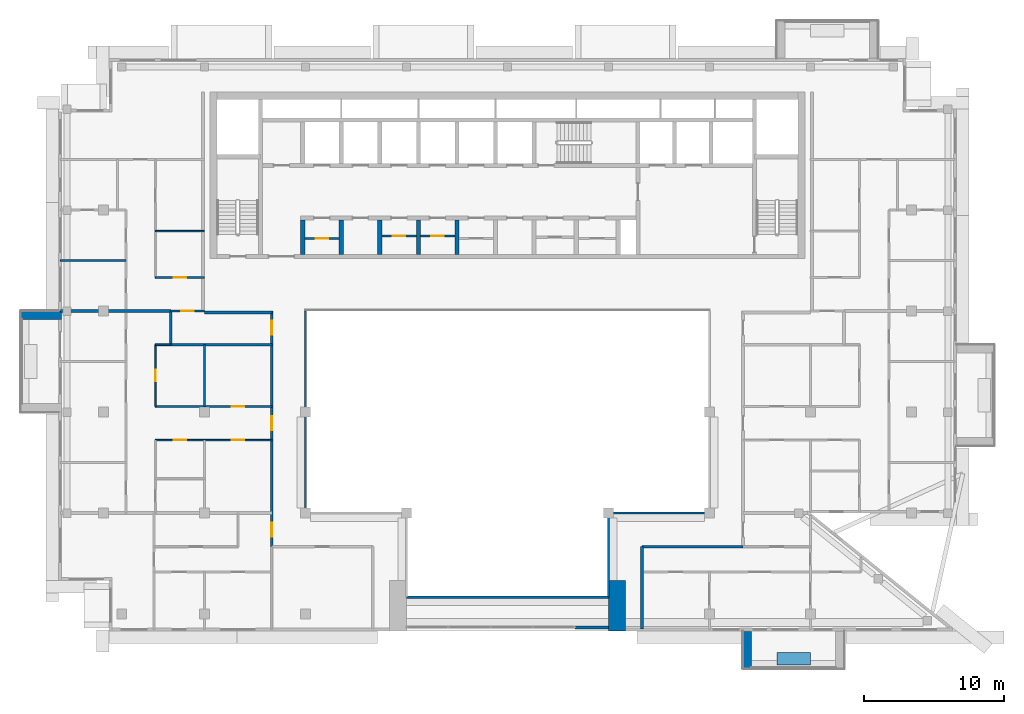
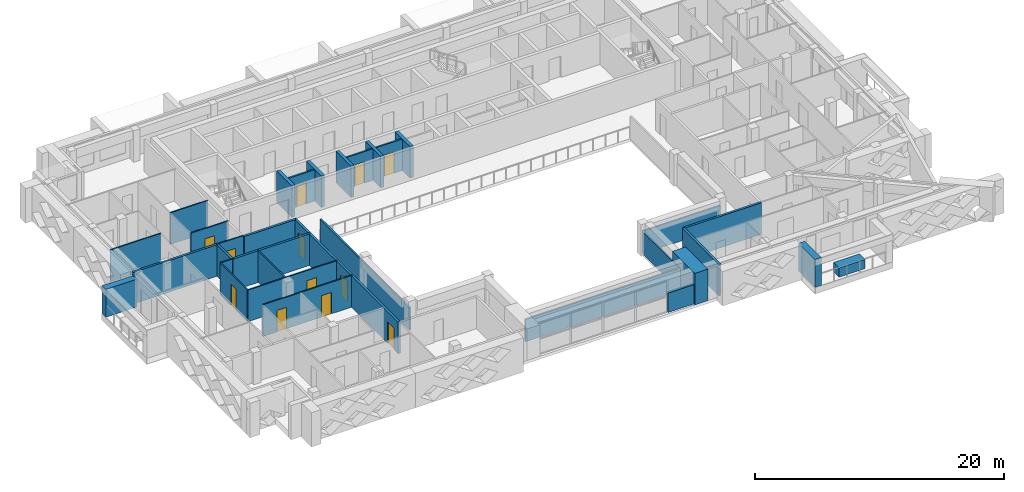
# One storey, part 7 of 19: 33 walls, 12 doors, 12 openings.
"""IFC4 building model written with IfcOpenShell, lengths in metres."""

from ifc_helpers import new_model, si_unit, direction, frame, frame_2d, origin, place, context, subcontext, project, spatial, rectangle, extrude, material, layer, layer_set, type_object, element, fill, save


model = new_model("IFC4")

# Units and contexts
model_context = context("Model", 3, precision=1e-05, world=origin(), true_north=direction((0.0, 1.0)))
body_context = subcontext(model_context, "Body", "Model", "MODEL_VIEW")
ifc_project = project(units=[si_unit("LENGTHUNIT", "METRE"), si_unit("AREAUNIT", "SQUARE_METRE"), si_unit("VOLUMEUNIT", "CUBIC_METRE"), si_unit("PLANEANGLEUNIT", "RADIAN"), si_unit("MASSUNIT", "GRAM", prefix="KILO")], contexts=[model_context])

# Site, building, storey
site_placement = place(None, origin())
site = spatial("IfcSite", under=ifc_project, at=site_placement, CompositionType="ELEMENT")
building_placement = place(site_placement, origin())
building = spatial("IfcBuilding", under=site, at=building_placement, Name="Saffron Iwan Residences", CompositionType="ELEMENT")
storey_placement = place(building_placement, frame((0.0, 0.0, 267.5)))
storey = spatial("IfcBuildingStorey", under=building, at=storey_placement, Name="L72", CompositionType="ELEMENT", Elevation=267.5)

# Walls
ifc_material_1 = material(Name="Fire-rated glazing", Category="glass")
ifc_layer_1 = layer(ifc_material_1, 0.14990234375)
ifc_layer_set_1 = layer_set([ifc_layer_1], Name="Fire-rated glazing")
wall_type_1 = type_object("IfcWallType", Name="Atrium glazed screen 150", PredefinedType="SOLIDWALL", material=ifc_layer_set_1)
wall_1_placement = place(storey_placement, frame((43.199951171875, 42.0, 0.0), z_axis=(0.0, 0.0, 1.0), x_axis=(1.0, 0.0, 0.0)))
element("IfcWall", 1, at=wall_1_placement, inside=storey, type_object=wall_type_1, Name="W-L72-SCREEN-h42-43.2", PredefinedType="SOLIDWALL", context=body_context, shape_type="SweptSolid", body=[
    extrude(rectangle(XDim=14.400146484375, YDim=0.14990234375, at=frame_2d((7.2001953125, 0.0))), origin(), (0.0, 0.0, 1.0), 2.198974609375),
])
wall_2_placement = place(storey_placement, frame((57.60009765625, 48.0, 0.0), z_axis=(0.0, 0.0, 1.0), x_axis=(1.0, 0.0, 0.0)))
element("IfcWall", 2, at=wall_2_placement, inside=storey, type_object=wall_type_1, Name="W-L72-SCREEN-h48-57.6", PredefinedType="SOLIDWALL", context=body_context, shape_type="SweptSolid", body=[
    extrude(rectangle(XDim=7.199951171875, YDim=0.14990234375, at=frame_2d((3.60009765625, 0.0))), origin(), (0.0, 0.0, 1.0), 2.198974609375),
])
wall_3_placement = place(storey_placement, frame((36.0, 48.0, 0.0), z_axis=(0.0, 0.0, 1.0), x_axis=(0.0, 1.0, 0.0)))
element("IfcWall", 3, at=wall_3_placement, inside=storey, type_object=wall_type_1, Name="W-L72-SCREEN-v36-48", PredefinedType="SOLIDWALL", context=body_context, shape_type="SweptSolid", body=[
    extrude(rectangle(XDim=14.39990234375, YDim=0.14990234375, at=frame_2d((7.199951171875, 0.0))), origin(), (0.0, 0.0, 1.0), 2.198974609375),
])
wall_4_placement = place(storey_placement, frame((57.60009765625, 42.0, 0.0), z_axis=(0.0, 0.0, 1.0), x_axis=(0.0, 1.0, 0.0)))
element("IfcWall", 4, at=wall_4_placement, inside=storey, type_object=wall_type_1, Name="W-L72-SCREEN-v57.6-42", PredefinedType="SOLIDWALL", context=body_context, shape_type="SweptSolid", body=[
    extrude(rectangle(XDim=6.0, YDim=0.14990234375, at=frame_2d((3.0, 0.0))), origin(), (0.0, 0.0, 1.0), 2.198974609375),
])
ifc_material_2 = material(Name="Concrete C50/60 white painted", Category="concrete")
ifc_layer_2 = layer(ifc_material_2, 0.60009765625)
ifc_layer_set_2 = layer_set([ifc_layer_2], Name="Concrete C50/60 white painted")
wall_type_2 = type_object("IfcWallType", Name="BALCONY FIN 600", PredefinedType="SOLIDWALL", material=ifc_layer_set_2)
wall_5_placement = place(storey_placement, frame((18.60009765625, 62.10009765625, 0.0), z_axis=(0.0, 0.0, 1.0), x_axis=(-1.0, 0.0, 0.0)))
element("IfcWall", 5, at=wall_5_placement, inside=storey, type_object=wall_type_2, Name="Balcony fin L72 F8-0a", PredefinedType="SOLIDWALL", context=body_context, shape_type="SweptSolid", body=[
    extrude(rectangle(XDim=2.900146484375, YDim=0.60009765625, at=frame_2d((1.4501953125, 0.0))), origin(), (0.0, 0.0, 1.0), 2.72900390625),
])
wall_6_placement = place(storey_placement, frame((67.5, 39.550048828125, 0.0), z_axis=(0.0, 0.0, 1.0), x_axis=(0.0, -1.0, 0.0)))
element("IfcWall", 6, at=wall_6_placement, inside=storey, type_object=wall_type_2, Name="Balcony fin L72 11-1a", PredefinedType="SOLIDWALL", context=body_context, shape_type="SweptSolid", body=[
    extrude(rectangle(XDim=2.650146484375, YDim=0.60009765625, at=frame_2d((1.3251953125, 0.0))), origin(), (0.0, 0.0, 1.0), 2.72900390625),
])
ifc_material_3 = material(Name="Concrete C35/45 white painted", Category="concrete")
ifc_layer_3 = layer(ifc_material_3, 0.14990234375)
ifc_layer_set_3 = layer_set([ifc_layer_3], Name="Concrete C35/45 white painted")
wall_type_3 = type_object("IfcWallType", Name="BALCONY PLANTER", PredefinedType="SOLIDWALL", material=ifc_layer_set_3)
wall_7_placement = place(storey_placement, frame((69.60009765625, 37.625, 0.0), z_axis=(0.0, 0.0, 1.0), x_axis=(1.0, 0.0, 0.0)))
element("IfcWall", 7, at=wall_7_placement, inside=storey, type_object=wall_type_3, Name="PLANTER L72 11-1", PredefinedType="SOLIDWALL", context=body_context, shape_type="SweptSolid", body=[
    extrude(rectangle(XDim=2.39990234375, YDim=0.89990234375, at=frame_2d((1.199951171875, 0.0))), origin(), (0.0, 0.0, 1.0), 0.89990234375),
])

# Wall, opening, door
ifc_material_4 = material(Name="Fire-rated plasterboard partition")
ifc_layer_4 = layer(ifc_material_4, 0.14990234375)
ifc_layer_set_4 = layer_set([ifc_layer_4], Name="Fire-rated plasterboard partition")
wall_type_4 = type_object("IfcWallType", Name="Core partition 150", PredefinedType="PARTITIONING", material=ifc_layer_set_4)
wall_8_placement = place(storey_placement, frame((35.949951171875, 67.5654296875, 0.0), z_axis=(0.0, 0.0, 1.0), x_axis=(1.0, 0.0, 0.0)))
wall_8 = element("IfcWall", 8, at=wall_8_placement, inside=storey, type_object=wall_type_4, Name="Core partition P01", PredefinedType="PARTITIONING", context=body_context, shape_type="SweptSolid", body=[
    extrude(rectangle(XDim=2.449951171875, YDim=0.14990234375, at=frame_2d((1.22509765625, 0.0))), origin(), (0.0, 0.0, 1.0), 3.09912109375),
])
opening_1_placement = place(wall_8_placement, frame((0.77490234375, 0.0, 0.0)))
opening_1 = element("IfcOpeningElement", 9, at=opening_1_placement, cuts=wall_8, Name="Opening SB", PredefinedType="OPENING", context=body_context, shape_type="SweptSolid", body=[
    extrude(rectangle(XDim=0.89990234375, YDim=2.10009765625, at=frame_2d((0.449951171875, 1.050048828125))), frame((0.0, 0.0849609375, 0.0), z_axis=(0.0, -1.0, 0.0), x_axis=(1.0, 0.0, 0.0)), (0.0, 0.0, 1.0), 0.169921875),
])
ifc_material_5 = material(Name="Steel fire door", Category="steel")
door_type_1 = type_object("IfcDoorType", Name="Store door 900", OperationType="NOTDEFINED", PredefinedType="DOOR", material=ifc_material_5)
door_1_placement = place(opening_1_placement, origin())
door_1 = element("IfcDoor", 10, at=door_1_placement, inside=storey, type_object=door_type_1, Name="Door Equipment store", OperationType="SINGLE_SWING_RIGHT", OverallHeight=2.10009765625, OverallWidth=0.89990234375, PredefinedType="DOOR", context=body_context, shape_type="SweptSolid", body=[
    extrude(rectangle(XDim=0.89990234375, YDim=2.10009765625, at=frame_2d((0.449951171875, 1.050048828125))), frame((0.0, 0.02490234375, 0.0), z_axis=(0.0, -1.0, 0.0), x_axis=(1.0, 0.0, 0.0)), (0.0, 0.0, 1.0), 0.050048828125),
])
fill(opening_1, door_1)

wall_9_placement = place(storey_placement, frame((41.449951171875, 67.759521484375, 0.0), z_axis=(0.0, 0.0, 1.0), x_axis=(1.0, 0.0, 0.0)))
wall_9 = element("IfcWall", 11, at=wall_9_placement, inside=storey, type_object=wall_type_4, Name="Core partition P02", PredefinedType="PARTITIONING", context=body_context, shape_type="SweptSolid", body=[
    extrude(rectangle(XDim=2.449951171875, YDim=0.14990234375, at=frame_2d((1.22509765625, 0.0))), origin(), (0.0, 0.0, 1.0), 3.09912109375),
])
opening_2_placement = place(wall_9_placement, frame((0.77490234375, 0.0, 0.0)))
opening_2 = element("IfcOpeningElement", 12, at=opening_2_placement, cuts=wall_9, Name="Opening SB", PredefinedType="OPENING", context=body_context, shape_type="SweptSolid", body=[
    extrude(rectangle(XDim=0.89990234375, YDim=2.10009765625, at=frame_2d((0.449951171875, 1.050048828125))), frame((0.0, 0.0849609375, 0.0), z_axis=(0.0, -1.0, 0.0), x_axis=(1.0, 0.0, 0.0)), (0.0, 0.0, 1.0), 0.169921875),
])
door_2_placement = place(opening_2_placement, origin())
door_2 = element("IfcDoor", 13, at=door_2_placement, inside=storey, type_object=door_type_1, Name="Door Spares store", OperationType="SINGLE_SWING_LEFT", OverallHeight=2.10009765625, OverallWidth=0.89990234375, PredefinedType="DOOR", context=body_context, shape_type="SweptSolid", body=[
    extrude(rectangle(XDim=0.89990234375, YDim=2.10009765625, at=frame_2d((0.449951171875, 1.050048828125))), frame((0.0, 0.02490234375, 0.0), z_axis=(0.0, -1.0, 0.0), x_axis=(1.0, 0.0, 0.0)), (0.0, 0.0, 1.0), 0.050048828125),
])
fill(opening_2, door_2)

wall_10_placement = place(storey_placement, frame((44.199951171875, 67.759521484375, 0.0), z_axis=(0.0, 0.0, 1.0), x_axis=(1.0, 0.0, 0.0)))
wall_10 = element("IfcWall", 14, at=wall_10_placement, inside=storey, type_object=wall_type_4, Name="Core partition P03", PredefinedType="PARTITIONING", context=body_context, shape_type="SweptSolid", body=[
    extrude(rectangle(XDim=2.449951171875, YDim=0.14990234375, at=frame_2d((1.22509765625, 0.0))), origin(), (0.0, 0.0, 1.0), 3.09912109375),
])
opening_3_placement = place(wall_10_placement, frame((0.77490234375, 0.0, 0.0)))
opening_3 = element("IfcOpeningElement", 15, at=opening_3_placement, cuts=wall_10, Name="Opening SB", PredefinedType="OPENING", context=body_context, shape_type="SweptSolid", body=[
    extrude(rectangle(XDim=0.89990234375, YDim=2.10009765625, at=frame_2d((0.449951171875, 1.050048828125))), frame((0.0, 0.0849609375, 0.0), z_axis=(0.0, -1.0, 0.0), x_axis=(1.0, 0.0, 0.0)), (0.0, 0.0, 1.0), 0.169921875),
])
door_3_placement = place(opening_3_placement, origin())
door_3 = element("IfcDoor", 16, at=door_3_placement, inside=storey, type_object=door_type_1, Name="Door Battery room", OperationType="SINGLE_SWING_RIGHT", OverallHeight=2.10009765625, OverallWidth=0.89990234375, PredefinedType="DOOR", context=body_context, shape_type="SweptSolid", body=[
    extrude(rectangle(XDim=0.89990234375, YDim=2.10009765625, at=frame_2d((0.449951171875, 1.050048828125))), frame((0.0, 0.02490234375, 0.0), z_axis=(0.0, -1.0, 0.0), x_axis=(1.0, 0.0, 0.0)), (0.0, 0.0, 1.0), 0.050048828125),
])
fill(opening_3, door_3)

# Walls
ifc_material_6 = material(Name="Concrete C40/50", Category="concrete")
ifc_layer_5 = layer(ifc_material_6, 0.199951171875)
ifc_layer_set_5 = layer_set([ifc_layer_5], Name="Concrete C40/50")
wall_type_5 = type_object("IfcWallType", Name="EXTERNAL WALL 200", PredefinedType="SOLIDWALL", material=ifc_layer_set_5)
wall_11_placement = place(storey_placement, frame((55.199951171875, 39.85009765625, 0.0), z_axis=(0.0, 0.0, 1.0), x_axis=(1.0, 0.0, 0.0)))
element("IfcWall", 17, at=wall_11_placement, inside=storey, type_object=wall_type_5, Name="External wall infill CWB-L72-0", PredefinedType="SOLIDWALL", context=body_context, shape_type="SweptSolid", body=[
    extrude(rectangle(XDim=2.400146484375, YDim=0.199951171875, at=frame_2d((1.2001953125, 0.0))), origin(), (0.0, 0.0, 1.0), 1.89892578125),
])
ifc_material_7 = material(Name="Fire-rated gypsum board wall")
ifc_layer_6 = layer(ifc_material_7, 0.199951171875)
ifc_layer_set_6 = layer_set([ifc_layer_6], Name="Fire-rated gypsum board wall")
wall_type_6 = type_object("IfcWallType", Name="Flat demising wall 200", PredefinedType="SOLIDWALL", material=ifc_layer_set_6)
wall_12_placement = place(storey_placement, frame((26.39990234375, 60.0, 0.0), z_axis=(0.0, 0.0, 1.0), x_axis=(1.0, 0.0, 0.0)))
element("IfcWall", 18, at=wall_12_placement, inside=storey, type_object=wall_type_6, Name="W-L72-DEMISE-h60-26.4", PredefinedType="SOLIDWALL", context=body_context, shape_type="SweptSolid", body=[
    extrude(rectangle(XDim=7.2001953125, YDim=0.199951171875, at=frame_2d((3.60009765625, 0.0))), origin(), (0.0, 0.0, 1.0), 3.09912109375),
])
wall_13_placement = place(storey_placement, frame((18.52490234375, 62.39990234375, 0.0), z_axis=(0.0, 0.0, 1.0), x_axis=(1.0, 0.0, 0.0)))
element("IfcWall", 19, at=wall_13_placement, inside=storey, type_object=wall_type_6, Name="W-L72-DEMISE-h62.4-18.525", PredefinedType="SOLIDWALL", context=body_context, shape_type="SweptSolid", body=[
    extrude(rectangle(XDim=7.875, YDim=0.199951171875, at=frame_2d((3.9375, 0.0))), origin(), (0.0, 0.0, 1.0), 3.09912109375),
])
wall_14_placement = place(storey_placement, frame((26.39990234375, 60.0, 0.0), z_axis=(0.0, 0.0, 1.0), x_axis=(0.0, 1.0, 0.0)))
element("IfcWall", 20, at=wall_14_placement, inside=storey, type_object=wall_type_6, Name="W-L72-DEMISE-v26.4-60", PredefinedType="SOLIDWALL", context=body_context, shape_type="SweptSolid", body=[
    extrude(rectangle(XDim=2.39990234375, YDim=0.199951171875, at=frame_2d((1.199951171875, 0.0))), origin(), (0.0, 0.0, 1.0), 3.09912109375),
])

# Wall, openings, doors
ifc_material_8 = material(Name="Gypsum board partition")
ifc_layer_7 = layer(ifc_material_8, 0.1201171875)
ifc_layer_set_7 = layer_set([ifc_layer_7], Name="Gypsum board partition")
wall_type_7 = type_object("IfcWallType", Name="Flat partition 120", PredefinedType="PARTITIONING", material=ifc_layer_set_7)
wall_15_placement = place(storey_placement, frame((25.300048828125, 53.199951171875, 0.0), z_axis=(0.0, 0.0, 1.0), x_axis=(1.0, 0.0, 0.0)))
wall_15 = element("IfcWall", 21, at=wall_15_placement, inside=storey, type_object=wall_type_7, Name="W-L72-PART-h53.2-25.3", PredefinedType="PARTITIONING", context=body_context, shape_type="SweptSolid", body=[
    extrude(rectangle(XDim=8.300048828125, YDim=0.1201171875, at=frame_2d((4.14990234375, 0.0))), origin(), (0.0, 0.0, 1.0), 3.09912109375),
])
opening_4_placement = place(wall_15_placement, frame((1.300048828125, 0.0, 0.0)))
opening_4 = element("IfcOpeningElement", 22, at=opening_4_placement, cuts=wall_15, Name="Opening FD2", PredefinedType="OPENING", context=body_context, shape_type="SweptSolid", body=[
    extrude(rectangle(XDim=0.89990234375, YDim=2.10009765625, at=frame_2d((0.449951171875, 1.050048828125))), frame((0.0, 0.070068359375, 0.0), z_axis=(0.0, -1.0, 0.0), x_axis=(1.0, 0.0, 0.0)), (0.0, 0.0, 1.0), 0.14013671875),
])
opening_5_placement = place(wall_15_placement, frame((5.449951171875, 0.0, 0.0)))
opening_5 = element("IfcOpeningElement", 23, at=opening_5_placement, cuts=wall_15, Name="Opening FD2", PredefinedType="OPENING", context=body_context, shape_type="SweptSolid", body=[
    extrude(rectangle(XDim=0.89990234375, YDim=2.10009765625, at=frame_2d((0.449951171875, 1.050048828125))), frame((0.0, 0.070068359375, 0.0), z_axis=(0.0, -1.0, 0.0), x_axis=(1.0, 0.0, 0.0)), (0.0, 0.0, 1.0), 0.14013671875),
])
ifc_material_9 = material(Name="Timber door", Category="wood")
door_type_2 = type_object("IfcDoorType", Name="Flat door 900", OperationType="NOTDEFINED", PredefinedType="DOOR", material=ifc_material_9)
door_4_placement = place(opening_4_placement, origin())
door_4 = element("IfcDoor", 24, at=door_4_placement, inside=storey, type_object=door_type_2, Name="Door L72-012", OperationType="SINGLE_SWING_LEFT", OverallHeight=2.10009765625, OverallWidth=0.89990234375, PredefinedType="DOOR", context=body_context, shape_type="SweptSolid", body=[
    extrude(rectangle(XDim=0.89990234375, YDim=2.10009765625, at=frame_2d((0.449951171875, 1.050048828125))), frame((0.0, 0.02490234375, 0.0), z_axis=(0.0, -1.0, 0.0), x_axis=(1.0, 0.0, 0.0)), (0.0, 0.0, 1.0), 0.050048828125),
])
fill(opening_4, door_4)
door_5_placement = place(opening_5_placement, origin())
door_5 = element("IfcDoor", 25, at=door_5_placement, inside=storey, type_object=door_type_2, Name="Door L72-014", OperationType="SINGLE_SWING_LEFT", OverallHeight=2.10009765625, OverallWidth=0.89990234375, PredefinedType="DOOR", context=body_context, shape_type="SweptSolid", body=[
    extrude(rectangle(XDim=0.89990234375, YDim=2.10009765625, at=frame_2d((0.449951171875, 1.050048828125))), frame((0.0, 0.02490234375, 0.0), z_axis=(0.0, -1.0, 0.0), x_axis=(1.0, 0.0, 0.0)), (0.0, 0.0, 1.0), 0.050048828125),
])
fill(opening_5, door_5)

# Wall, opening, door
wall_16_placement = place(storey_placement, frame((25.300048828125, 55.60009765625, 0.0), z_axis=(0.0, 0.0, 1.0), x_axis=(1.0, 0.0, 0.0)))
wall_16 = element("IfcWall", 26, at=wall_16_placement, inside=storey, type_object=wall_type_7, Name="W-L72-PART-h55.6-25.3", PredefinedType="PARTITIONING", context=body_context, shape_type="SweptSolid", body=[
    extrude(rectangle(XDim=8.300048828125, YDim=0.1201171875, at=frame_2d((4.14990234375, 0.0))), origin(), (0.0, 0.0, 1.0), 3.09912109375),
])
opening_6_placement = place(wall_16_placement, frame((5.449951171875, 0.0, 0.0)))
opening_6 = element("IfcOpeningElement", 27, at=opening_6_placement, cuts=wall_16, Name="Opening FD2", PredefinedType="OPENING", context=body_context, shape_type="SweptSolid", body=[
    extrude(rectangle(XDim=0.89990234375, YDim=2.10009765625, at=frame_2d((0.449951171875, 1.050048828125))), frame((0.0, 0.070068359375, 0.0), z_axis=(0.0, -1.0, 0.0), x_axis=(1.0, 0.0, 0.0)), (0.0, 0.0, 1.0), 0.14013671875),
])
door_6_placement = place(opening_6_placement, origin())
door_6 = element("IfcDoor", 28, at=door_6_placement, inside=storey, type_object=door_type_2, Name="Door L72-015", OperationType="SINGLE_SWING_LEFT", OverallHeight=2.10009765625, OverallWidth=0.89990234375, PredefinedType="DOOR", context=body_context, shape_type="SweptSolid", body=[
    extrude(rectangle(XDim=0.89990234375, YDim=2.10009765625, at=frame_2d((0.449951171875, 1.050048828125))), frame((0.0, 0.02490234375, 0.0), z_axis=(0.0, -1.0, 0.0), x_axis=(1.0, 0.0, 0.0)), (0.0, 0.0, 1.0), 0.050048828125),
])
fill(opening_6, door_6)

# Wall
wall_17_placement = place(storey_placement, frame((25.300048828125, 60.0, 0.0), z_axis=(0.0, 0.0, 1.0), x_axis=(1.0, 0.0, 0.0)))
element("IfcWall", 29, at=wall_17_placement, inside=storey, type_object=wall_type_7, Name="W-L72-PART-h60-25.3", PredefinedType="PARTITIONING", context=body_context, shape_type="SweptSolid", body=[
    extrude(rectangle(XDim=1.099853515625, YDim=0.1201171875, at=frame_2d((0.5498046875, 0.0))), origin(), (0.0, 0.0, 1.0), 3.09912109375),
])

# Wall, opening, door
wall_18_placement = place(storey_placement, frame((26.39990234375, 62.39990234375, 0.0), z_axis=(0.0, 0.0, 1.0), x_axis=(1.0, 0.0, 0.0)))
wall_18 = element("IfcWall", 30, at=wall_18_placement, inside=storey, type_object=wall_type_7, Name="W-L72-PART-h62.4-26.4", PredefinedType="PARTITIONING", context=body_context, shape_type="SweptSolid", body=[
    extrude(rectangle(XDim=2.400146484375, YDim=0.1201171875, at=frame_2d((1.2001953125, 0.0))), origin(), (0.0, 0.0, 1.0), 3.09912109375),
])
opening_7_placement = place(wall_18_placement, frame((0.75, 0.0, 0.0)))
opening_7 = element("IfcOpeningElement", 31, at=opening_7_placement, cuts=wall_18, Name="Opening FD2", PredefinedType="OPENING", context=body_context, shape_type="SweptSolid", body=[
    extrude(rectangle(XDim=0.89990234375, YDim=2.10009765625, at=frame_2d((0.449951171875, 1.050048828125))), frame((0.0, 0.070068359375, 0.0), z_axis=(0.0, -1.0, 0.0), x_axis=(1.0, 0.0, 0.0)), (0.0, 0.0, 1.0), 0.14013671875),
])
door_7_placement = place(opening_7_placement, origin())
door_7 = element("IfcDoor", 32, at=door_7_placement, inside=storey, type_object=door_type_2, Name="Door L72-025", OperationType="SINGLE_SWING_RIGHT", OverallHeight=2.10009765625, OverallWidth=0.89990234375, PredefinedType="DOOR", context=body_context, shape_type="SweptSolid", body=[
    extrude(rectangle(XDim=0.89990234375, YDim=2.10009765625, at=frame_2d((0.449951171875, 1.050048828125))), frame((0.0, 0.02490234375, 0.0), z_axis=(0.0, -1.0, 0.0), x_axis=(1.0, 0.0, 0.0)), (0.0, 0.0, 1.0), 0.050048828125),
])
fill(opening_7, door_7)

wall_19_placement = place(storey_placement, frame((25.300048828125, 64.800048828125, 0.0), z_axis=(0.0, 0.0, 1.0), x_axis=(1.0, 0.0, 0.0)))
wall_19 = element("IfcWall", 33, at=wall_19_placement, inside=storey, type_object=wall_type_7, Name="W-L72-PART-h64.8-25.3", PredefinedType="PARTITIONING", context=body_context, shape_type="SweptSolid", body=[
    extrude(rectangle(XDim=3.5, YDim=0.1201171875, at=frame_2d((1.75, 0.0))), origin(), (0.0, 0.0, 1.0), 3.09912109375),
])
opening_8_placement = place(wall_19_placement, frame((1.300048828125, 0.0, 0.0)))
opening_8 = element("IfcOpeningElement", 34, at=opening_8_placement, cuts=wall_19, Name="Opening FD2", PredefinedType="OPENING", context=body_context, shape_type="SweptSolid", body=[
    extrude(rectangle(XDim=0.89990234375, YDim=2.10009765625, at=frame_2d((0.449951171875, 1.050048828125))), frame((0.0, 0.070068359375, 0.0), z_axis=(0.0, -1.0, 0.0), x_axis=(1.0, 0.0, 0.0)), (0.0, 0.0, 1.0), 0.14013671875),
])
door_8_placement = place(opening_8_placement, origin())
door_8 = element("IfcDoor", 35, at=door_8_placement, inside=storey, type_object=door_type_2, Name="Door L72-031", OperationType="SINGLE_SWING_RIGHT", OverallHeight=2.10009765625, OverallWidth=0.89990234375, PredefinedType="DOOR", context=body_context, shape_type="SweptSolid", body=[
    extrude(rectangle(XDim=0.89990234375, YDim=2.10009765625, at=frame_2d((0.449951171875, 1.050048828125))), frame((0.0, 0.02490234375, 0.0), z_axis=(0.0, -1.0, 0.0), x_axis=(1.0, 0.0, 0.0)), (0.0, 0.0, 1.0), 0.050048828125),
])
fill(opening_8, door_8)

# Walls
wall_20_placement = place(storey_placement, frame((18.52490234375, 66.0, 0.0), z_axis=(0.0, 0.0, 1.0), x_axis=(1.0, 0.0, 0.0)))
element("IfcWall", 36, at=wall_20_placement, inside=storey, type_object=wall_type_7, Name="W-L72-PART-h66-18.525", PredefinedType="PARTITIONING", context=body_context, shape_type="SweptSolid", body=[
    extrude(rectangle(XDim=4.675048828125, YDim=0.1201171875, at=frame_2d((2.33740234375, 0.0))), origin(), (0.0, 0.0, 1.0), 3.09912109375),
])
wall_21_placement = place(storey_placement, frame((25.300048828125, 68.10009765625, 0.0), z_axis=(0.0, 0.0, 1.0), x_axis=(1.0, 0.0, 0.0)))
element("IfcWall", 37, at=wall_21_placement, inside=storey, type_object=wall_type_7, Name="W-L72-PART-h68.1-25.3", PredefinedType="PARTITIONING", context=body_context, shape_type="SweptSolid", body=[
    extrude(rectangle(XDim=3.5, YDim=0.1201171875, at=frame_2d((1.75, 0.0))), origin(), (0.0, 0.0, 1.0), 3.09912109375),
])

# Wall, opening, door
wall_22_placement = place(storey_placement, frame((25.300048828125, 55.60009765625, 0.0), z_axis=(0.0, 0.0, 1.0), x_axis=(0.0, 1.0, 0.0)))
wall_22 = element("IfcWall", 38, at=wall_22_placement, inside=storey, type_object=wall_type_7, Name="W-L72-PART-v25.3-55.6", PredefinedType="PARTITIONING", context=body_context, shape_type="SweptSolid", body=[
    extrude(rectangle(XDim=4.39990234375, YDim=0.1201171875, at=frame_2d((2.199951171875, 0.0))), origin(), (0.0, 0.0, 1.0), 3.09912109375),
])
opening_9_placement = place(wall_22_placement, frame((1.800048828125, 0.0, 0.0)))
opening_9 = element("IfcOpeningElement", 39, at=opening_9_placement, cuts=wall_22, Name="Opening FD3", PredefinedType="OPENING", context=body_context, shape_type="SweptSolid", body=[
    extrude(rectangle(XDim=0.800048828125, YDim=2.10009765625, at=frame_2d((0.39990234375, 1.050048828125))), frame((0.0, 0.070068359375, 0.0), z_axis=(0.0, -1.0, 0.0), x_axis=(1.0, 0.0, 0.0)), (0.0, 0.0, 1.0), 0.14013671875),
])
door_type_3 = type_object("IfcDoorType", Name="Bathroom door 800", OperationType="NOTDEFINED", PredefinedType="DOOR", material=ifc_material_9)
door_9_placement = place(opening_9_placement, origin())
door_9 = element("IfcDoor", 40, at=door_9_placement, inside=storey, type_object=door_type_3, Name="Door L72-013", OperationType="SINGLE_SWING_RIGHT", OverallHeight=2.10009765625, OverallWidth=0.800048828125, PredefinedType="DOOR", context=body_context, shape_type="SweptSolid", body=[
    extrude(rectangle(XDim=0.800048828125, YDim=2.10009765625, at=frame_2d((0.39990234375, 1.050048828125))), frame((0.0, 0.02490234375, 0.0), z_axis=(0.0, -1.0, 0.0), x_axis=(1.0, 0.0, 0.0)), (0.0, 0.0, 1.0), 0.050048828125),
])
fill(opening_9, door_9)

# Walls
wall_23_placement = place(storey_placement, frame((28.800048828125, 55.60009765625, 0.0), z_axis=(0.0, 0.0, 1.0), x_axis=(0.0, 1.0, 0.0)))
element("IfcWall", 41, at=wall_23_placement, inside=storey, type_object=wall_type_7, Name="W-L72-PART-v28.8-55.6", PredefinedType="PARTITIONING", context=body_context, shape_type="SweptSolid", body=[
    extrude(rectangle(XDim=4.39990234375, YDim=0.1201171875, at=frame_2d((2.199951171875, 0.0))), origin(), (0.0, 0.0, 1.0), 3.09912109375),
])
ifc_layer_8 = layer(ifc_material_7, 0.199951171875)
ifc_layer_set_8 = layer_set([ifc_layer_8], Name="Fire-rated gypsum board wall")
wall_type_8 = type_object("IfcWallType", Name="Gallery wall 200", PredefinedType="SOLIDWALL", material=ifc_layer_set_8)
wall_24_placement = place(storey_placement, frame((60.0, 45.60009765625, 0.0), z_axis=(0.0, 0.0, 1.0), x_axis=(1.0, 0.0, 0.0)))
element("IfcWall", 42, at=wall_24_placement, inside=storey, type_object=wall_type_8, Name="W-L72-CORR-h45.6-60", PredefinedType="SOLIDWALL", context=body_context, shape_type="SweptSolid", body=[
    extrude(rectangle(XDim=7.199951171875, YDim=0.199951171875, at=frame_2d((3.60009765625, 0.0))), origin(), (0.0, 0.0, 1.0), 3.09912109375),
])
wall_25_placement = place(storey_placement, frame((28.800048828125, 62.300048828125, 0.0), z_axis=(0.0, 0.0, 1.0), x_axis=(1.0, 0.0, 0.0)))
element("IfcWall", 43, at=wall_25_placement, inside=storey, type_object=wall_type_8, Name="W-L72-CORR-h62.4-28.8", PredefinedType="SOLIDWALL", context=body_context, shape_type="SweptSolid", body=[
    extrude(rectangle(XDim=4.800048828125, YDim=0.199951171875, at=frame_2d((2.39990234375, 0.0))), origin(), (0.0, 0.0, 1.0), 3.09912109375),
])

# Wall, openings, doors
wall_26_placement = place(storey_placement, frame((33.60009765625, 45.60009765625, 0.0), z_axis=(0.0, 0.0, 1.0), x_axis=(0.0, 1.0, 0.0)))
wall_26 = element("IfcWall", 44, at=wall_26_placement, inside=storey, type_object=wall_type_8, Name="W-L72-CORR-v33.6-45.6", PredefinedType="SOLIDWALL", context=body_context, shape_type="SweptSolid", body=[
    extrude(rectangle(XDim=16.7998046875, YDim=0.199951171875, at=frame_2d((8.39990234375, 0.0))), origin(), (0.0, 0.0, 1.0), 3.09912109375),
])
opening_10_placement = place(wall_26_placement, frame((0.699951171875, 0.0, 0.0)))
opening_10 = element("IfcOpeningElement", 45, at=opening_10_placement, cuts=wall_26, Name="Opening FD1", PredefinedType="OPENING", context=body_context, shape_type="SweptSolid", body=[
    extrude(rectangle(XDim=1.0, YDim=2.10009765625, at=frame_2d((0.5, 1.050048828125))), frame((0.0, 0.10986328125, 0.0), z_axis=(0.0, -1.0, 0.0), x_axis=(1.0, 0.0, 0.0)), (0.0, 0.0, 1.0), 0.219970703125),
])
opening_11_placement = place(wall_26_placement, frame((8.300048828125, 0.0, 0.0)))
opening_11 = element("IfcOpeningElement", 46, at=opening_11_placement, cuts=wall_26, Name="Opening FD1", PredefinedType="OPENING", context=body_context, shape_type="SweptSolid", body=[
    extrude(rectangle(XDim=1.0, YDim=2.10009765625, at=frame_2d((0.5, 1.050048828125))), frame((0.0, 0.10986328125, 0.0), z_axis=(0.0, -1.0, 0.0), x_axis=(1.0, 0.0, 0.0)), (0.0, 0.0, 1.0), 0.219970703125),
])
opening_12_placement = place(wall_26_placement, frame((15.10009765625, 0.0, 0.0)))
opening_12 = element("IfcOpeningElement", 47, at=opening_12_placement, cuts=wall_26, Name="Opening FD5", PredefinedType="OPENING", context=body_context, shape_type="SweptSolid", body=[
    extrude(rectangle(XDim=1.0, YDim=2.10009765625, at=frame_2d((0.5, 1.050048828125))), frame((0.0, 0.10986328125, 0.0), z_axis=(0.0, -1.0, 0.0), x_axis=(1.0, 0.0, 0.0)), (0.0, 0.0, 1.0), 0.219970703125),
])
ifc_material_10 = material(Name="Fire-rated timber door", Category="wood")
door_type_4 = type_object("IfcDoorType", Name="FD30S flat entrance door 1000", OperationType="NOTDEFINED", PredefinedType="DOOR", material=ifc_material_10)
door_10_placement = place(opening_10_placement, origin())
door_10 = element("IfcDoor", 48, at=door_10_placement, inside=storey, type_object=door_type_4, Name="Door L72-001", OperationType="SINGLE_SWING_RIGHT", OverallHeight=2.10009765625, OverallWidth=1.0, PredefinedType="DOOR", context=body_context, shape_type="SweptSolid", body=[
    extrude(rectangle(XDim=1.0, YDim=2.10009765625, at=frame_2d((0.5, 1.050048828125))), frame((0.0, 0.02490234375, 0.0), z_axis=(0.0, -1.0, 0.0), x_axis=(1.0, 0.0, 0.0)), (0.0, 0.0, 1.0), 0.050048828125),
])
fill(opening_10, door_10)
door_11_placement = place(opening_11_placement, origin())
door_11 = element("IfcDoor", 49, at=door_11_placement, inside=storey, type_object=door_type_4, Name="Door L72-007", OperationType="SINGLE_SWING_RIGHT", OverallHeight=2.10009765625, OverallWidth=1.0, PredefinedType="DOOR", context=body_context, shape_type="SweptSolid", body=[
    extrude(rectangle(XDim=1.0, YDim=2.10009765625, at=frame_2d((0.5, 1.050048828125))), frame((0.0, 0.02490234375, 0.0), z_axis=(0.0, -1.0, 0.0), x_axis=(1.0, 0.0, 0.0)), (0.0, 0.0, 1.0), 0.050048828125),
])
fill(opening_11, door_11)
door_type_5 = type_object("IfcDoorType", Name="Lobby door 1000", OperationType="NOTDEFINED", PredefinedType="DOOR", material=ifc_material_10)
door_12_placement = place(opening_12_placement, origin())
door_12 = element("IfcDoor", 50, at=door_12_placement, inside=storey, type_object=door_type_5, Name="Door L72-026", OperationType="SINGLE_SWING_LEFT", OverallHeight=2.10009765625, OverallWidth=1.0, PredefinedType="DOOR", context=body_context, shape_type="SweptSolid", body=[
    extrude(rectangle(XDim=1.0, YDim=2.10009765625, at=frame_2d((0.5, 1.050048828125))), frame((0.0, 0.02490234375, 0.0), z_axis=(0.0, -1.0, 0.0), x_axis=(1.0, 0.0, 0.0)), (0.0, 0.0, 1.0), 0.050048828125),
])
fill(opening_12, door_12)

# Walls
wall_27_placement = place(storey_placement, frame((60.0, 39.72509765625, 0.0), z_axis=(0.0, 0.0, 1.0), x_axis=(0.0, 1.0, 0.0)))
element("IfcWall", 51, at=wall_27_placement, inside=storey, type_object=wall_type_8, Name="W-L72-CORR-v60-39.725", PredefinedType="SOLIDWALL", context=body_context, shape_type="SweptSolid", body=[
    extrude(rectangle(XDim=5.875, YDim=0.199951171875, at=frame_2d((2.9375, 0.0))), origin(), (0.0, 0.0, 1.0), 3.09912109375),
])
ifc_layer_9 = layer(ifc_material_6, 0.300048828125)
ifc_layer_set_9 = layer_set([ifc_layer_9], Name="Concrete C40/50")
wall_type_9 = type_object("IfcWallType", Name="WALL CORE 300 C40/50 3099 HIGH", PredefinedType="SHEAR", material=ifc_layer_set_9)
for number, where, z_axis, x_axis, name in (
    (52, (35.800048828125, 66.449951171875, 0.0), (0.0, 0.0, 1.0), (0.0, 1.0, 0.0), "Core wall"),
    (53, (38.550048828125, 66.449951171875, 0.0), (0.0, 0.0, 1.0), (0.0, 1.0, 0.0), "Core wall"),
    (54, (41.300048828125, 66.449951171875, 0.0), (0.0, 0.0, 1.0), (0.0, 1.0, 0.0), "Core wall"),
    (55, (44.050048828125, 66.449951171875, 0.0), (0.0, 0.0, 1.0), (0.0, 1.0, 0.0), "Core wall"),
    (56, (46.800048828125, 66.449951171875, 0.0), (0.0, 0.0, 1.0), (0.0, 1.0, 0.0), "Core wall"),
):
    element("IfcWall", number, at=place(storey_placement, frame(where, z_axis=z_axis, x_axis=x_axis)), inside=storey, type_object=wall_type_9, Name=name, PredefinedType="SHEAR", context=body_context, shape_type="SweptSolid", body=[
        extrude(rectangle(XDim=2.425048828125, YDim=0.300048828125, at=frame_2d((1.21240234375, 0.0))), origin(), (0.0, 0.0, 1.0), 3.09912109375),
    ])
ifc_layer_10 = layer(ifc_material_6, 1.199951171875)
ifc_layer_set_10 = layer_set([ifc_layer_10], Name="Concrete C40/50")
wall_type_10 = type_object("IfcWallType", Name="WALL IWAN PIER 1200 C40/50 3099 HIGH", PredefinedType="SHEAR", material=ifc_layer_set_10)
wall_28_placement = place(storey_placement, frame((58.199951171875, 39.60009765625, 0.0), z_axis=(0.0, 0.0, 1.0), x_axis=(0.0, 1.0, 0.0)))
element("IfcWall", 57, at=wall_28_placement, inside=storey, type_object=wall_type_10, Name="IWAN PIER", PredefinedType="SHEAR", context=body_context, shape_type="SweptSolid", body=[
    extrude(rectangle(XDim=3.599853515625, YDim=1.199951171875, at=frame_2d((1.7998046875, 0.0))), origin(), (0.0, 0.0, 1.0), 3.09912109375),
])

save(model, "model.ifc")
